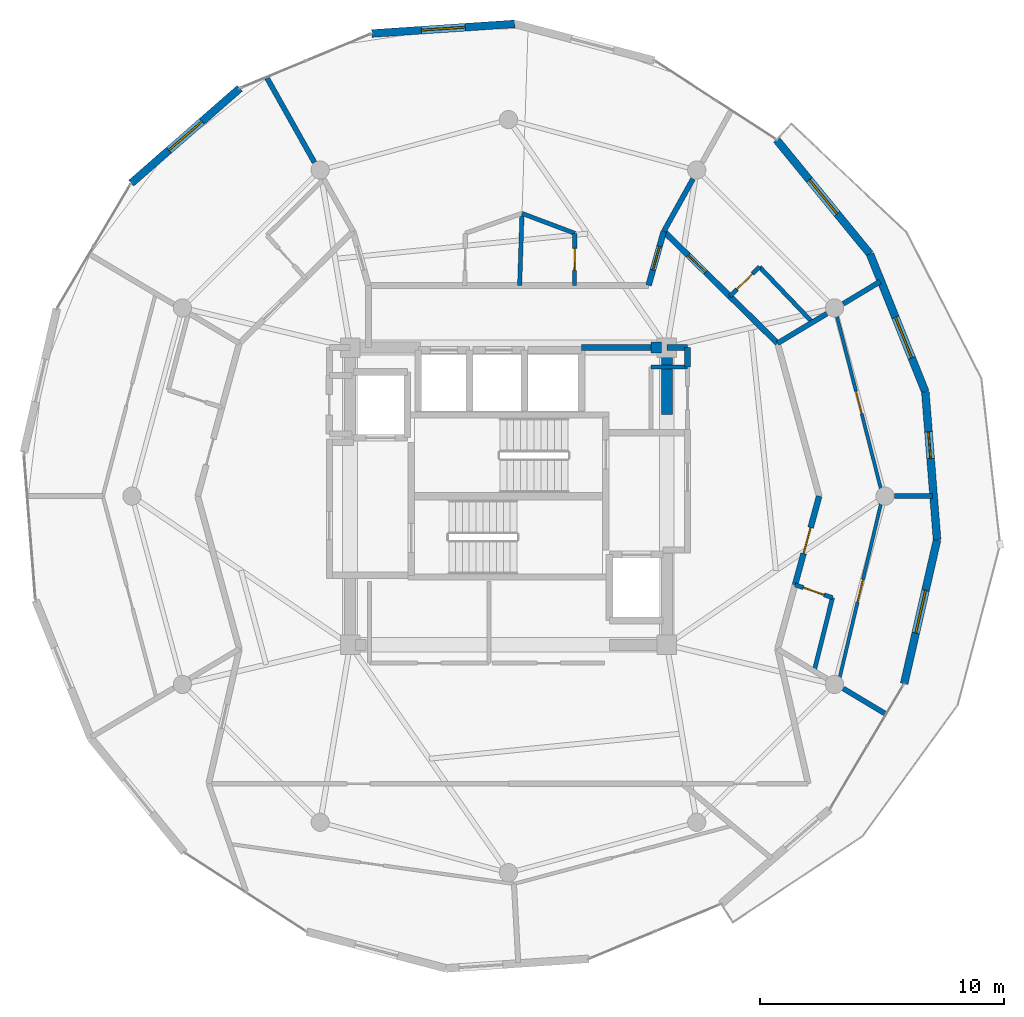
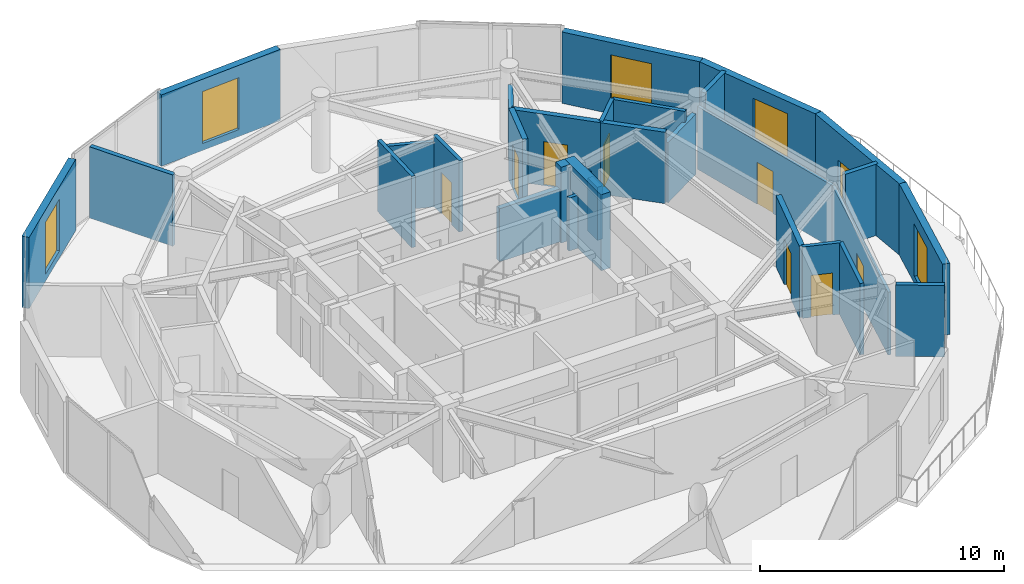
# One storey, part 19 of 22: 31 walls, 9 doors, 5 windows, 14 openings.
"""IFC4 building model written with IfcOpenShell, lengths in metres."""

from ifc_helpers import new_model, si_unit, direction, frame, frame_2d, origin, place, context, subcontext, project, spatial, rectangle, extrude, material, layer, layer_set, type_object, element, fill, save


model = new_model("IFC4")

# Units and contexts
model_context = context("Model", 3, precision=1e-05, world=origin(), true_north=direction((0.0, 1.0)))
body_context = subcontext(model_context, "Body", "Model", "MODEL_VIEW")
ifc_project = project(units=[si_unit("LENGTHUNIT", "METRE"), si_unit("AREAUNIT", "SQUARE_METRE"), si_unit("VOLUMEUNIT", "CUBIC_METRE"), si_unit("PLANEANGLEUNIT", "RADIAN"), si_unit("MASSUNIT", "GRAM", prefix="KILO")], contexts=[model_context])

# Site, building, storey
site_placement = place(None, origin())
site = spatial("IfcSite", under=ifc_project, at=site_placement, CompositionType="ELEMENT")
building_placement = place(site_placement, origin())
building = spatial("IfcBuilding", under=site, at=building_placement, Name="Solvirekh Grand Hotel", CompositionType="ELEMENT")
storey_placement = place(building_placement, frame((0.0, 0.0, 239.199951171875)))
storey = spatial("IfcBuildingStorey", under=building, at=storey_placement, Name="L62", CompositionType="ELEMENT", Elevation=239.199951171875)

# Walls
ifc_material_1 = material(Name="Concrete C50/60", Category="concrete")
ifc_layer_1 = layer(ifc_material_1, 0.449951171875)
ifc_layer_set_1 = layer_set([ifc_layer_1], Name="Concrete C50/60")
wall_type_1 = type_object("IfcWallType", Name="CoreWall_RC450", PredefinedType="SHEAR", material=ifc_layer_set_1)
wall_1_placement = place(storey_placement, frame((5.85009765625, 6.10009765625, 0.0), z_axis=(0.0, 0.0, 1.0), x_axis=(1.0, 0.0, 0.0)))
element("IfcWall", 1, at=wall_1_placement, inside=storey, type_object=wall_type_1, Name="L62 core corner shear wall NE-N", PredefinedType="SHEAR", context=body_context, shape_type="SweptSolid", body=[
    extrude(rectangle(XDim=0.4248046875, YDim=0.449951171875, at=frame_2d((0.21240234375, 0.0))), origin(), (0.0, 0.0, 1.0), 3.800048828125),
])
wall_2_placement = place(storey_placement, frame((6.5, 3.35009765625, 0.0), z_axis=(0.0, 0.0, 1.0), x_axis=(0.0, 1.0, 0.0)))
element("IfcWall", 2, at=wall_2_placement, inside=storey, type_object=wall_type_1, Name="L62 core corner shear wall EN-E", PredefinedType="SHEAR", context=body_context, shape_type="SweptSolid", body=[
    extrude(rectangle(XDim=2.974853515625, YDim=0.449951171875, at=frame_2d((1.4873046875, 0.0))), origin(), (0.0, 0.0, 1.0), 3.800048828125),
])

# Wall, opening, window
ifc_material_2 = material(Name="Precast concrete C45/55", Category="concrete")
ifc_layer_2 = layer(ifc_material_2, 0.320068359375)
ifc_layer_set_2 = layer_set([ifc_layer_2], Name="Precast concrete C45/55")
wall_type_2 = type_object("IfcWallType", Name="ExtLobbyWall_RC320", PredefinedType="SOLIDWALL", material=ifc_layer_set_2)
wall_3_placement = place(storey_placement, frame((17.5869140625, -1.794921875, 0.0), z_axis=(0.0, 0.0, 1.0), x_axis=(-0.223174159959, -0.974778587335, 0.0)))
wall_3 = element("IfcWall", 3, at=wall_3_placement, inside=storey, type_object=wall_type_2, Name="L62 exterior structural wall chord 4", PredefinedType="SOLIDWALL", context=body_context, shape_type="SweptSolid", body=[
    extrude(rectangle(XDim=6.052734375, YDim=0.320068359375, at=frame_2d((3.0263671875, 0.0))), origin(), (0.0, 0.0, 1.0), 3.570068359375),
])
opening_1_placement = place(wall_3_placement, frame((2.1259765625, 0.0, 0.35009765625)))
opening_1 = element("IfcOpeningElement", 4, at=opening_1_placement, cuts=wall_3, Name="Opening W02", PredefinedType="OPENING", context=body_context, shape_type="SweptSolid", body=[
    extrude(rectangle(XDim=1.800048828125, YDim=2.60009765625, at=frame_2d((0.89990234375, 1.300048828125))), frame((0.0, 0.169921875, 0.0), z_axis=(0.0, -1.0, 0.0), x_axis=(1.0, 0.0, 0.0)), (0.0, 0.0, 1.0), 0.340087890625),
])
ifc_material_3 = material(Name="Low-E Tinted Bronze Laminated Glass", Category="aluminium")
window_type = type_object("IfcWindowType", Name="Win_LobbyExt_1800X2600", PartitioningType="SINGLE_PANEL", PredefinedType="WINDOW", material=ifc_material_3)
window_1_placement = place(opening_1_placement, origin())
window_1 = element("IfcWindow", 5, at=window_1_placement, inside=storey, type_object=window_type, Name="L62 panoramic bronze-framed window 4", OverallHeight=2.60009765625, OverallWidth=1.800048828125, PartitioningType="SINGLE_PANEL", PredefinedType="WINDOW", context=body_context, shape_type="SweptSolid", body=[
    extrude(rectangle(XDim=1.800048828125, YDim=2.60009765625, at=frame_2d((0.89990234375, 1.300048828125))), frame((0.0, 0.030029296875, 0.0), z_axis=(0.0, -1.0, 0.0), x_axis=(1.0, 0.0, 0.0)), (0.0, 0.0, 1.0), 0.06005859375),
])
fill(opening_1, window_1)

# Wall, opening, door
wall_4_placement = place(storey_placement, frame((17.10498046875, 4.281982421875, 0.0), z_axis=(0.0, 0.0, 1.0), x_axis=(0.079057550351, -0.996870053584, 0.0)))
wall_4 = element("IfcWall", 6, at=wall_4_placement, inside=storey, type_object=wall_type_2, Name="L62 exterior structural wall chord 5", PredefinedType="SOLIDWALL", context=body_context, shape_type="SweptSolid", body=[
    extrude(rectangle(XDim=6.095947265625, YDim=0.320068359375, at=frame_2d((3.0478515625, 0.0))), origin(), (0.0, 0.0, 1.0), 3.570068359375),
])
opening_2_placement = place(wall_4_placement, frame((1.64599609375, 0.0, 0.0)))
opening_2 = element("IfcOpeningElement", 7, at=opening_2_placement, cuts=wall_4, Name="Opening D03", PredefinedType="OPENING", context=body_context, shape_type="SweptSolid", body=[
    extrude(rectangle(XDim=1.10009765625, YDim=2.199951171875, at=frame_2d((0.550048828125, 1.10009765625))), frame((0.0, 0.169921875, 0.0), z_axis=(0.0, -1.0, 0.0), x_axis=(1.0, 0.0, 0.0)), (0.0, 0.0, 1.0), 0.340087890625),
])
ifc_material_4 = material(Name="Anodized Bronze Aluminium 6063-T6", Category="aluminium")
door_type_1 = type_object("IfcDoorType", Name="Door_ExtBalcony_1100X2200", OperationType="NOTDEFINED", PredefinedType="DOOR", material=ifc_material_4)
door_1_placement = place(opening_2_placement, origin())
door_1 = element("IfcDoor", 8, at=door_1_placement, inside=storey, type_object=door_type_1, Name="L62 Crescent balcony glazed door (5)", OperationType="SINGLE_SWING_LEFT", OverallHeight=2.199951171875, OverallWidth=1.10009765625, PredefinedType="DOOR", context=body_context, shape_type="SweptSolid", body=[
    extrude(rectangle(XDim=1.10009765625, YDim=2.199951171875, at=frame_2d((0.550048828125, 1.10009765625))), frame((0.0, 0.02490234375, 0.0), z_axis=(0.0, -1.0, 0.0), x_axis=(1.0, 0.0, 0.0)), (0.0, 0.0, 1.0), 0.050048828125),
])
fill(opening_2, door_1)

# Wall, opening, window
wall_5_placement = place(storey_placement, frame((14.8349609375, 9.93896484375, 0.0), z_axis=(0.0, 0.0, 1.0), x_axis=(0.372412492589, -0.928067311871, 0.0)))
wall_5 = element("IfcWall", 9, at=wall_5_placement, inside=storey, type_object=wall_type_2, Name="L62 exterior structural wall chord 6", PredefinedType="SOLIDWALL", context=body_context, shape_type="SweptSolid", body=[
    extrude(rectangle(XDim=6.095458984375, YDim=0.320068359375, at=frame_2d((3.0478515625, 0.0))), origin(), (0.0, 0.0, 1.0), 3.570068359375),
])
opening_3_placement = place(wall_5_placement, frame((2.802001953125, 0.0, 0.35009765625)))
opening_3 = element("IfcOpeningElement", 10, at=opening_3_placement, cuts=wall_5, Name="Opening W02", PredefinedType="OPENING", context=body_context, shape_type="SweptSolid", body=[
    extrude(rectangle(XDim=1.800048828125, YDim=2.60009765625, at=frame_2d((0.89990234375, 1.300048828125))), frame((0.0, 0.169921875, 0.0), z_axis=(0.0, -1.0, 0.0), x_axis=(1.0, 0.0, 0.0)), (0.0, 0.0, 1.0), 0.340087890625),
])
window_2_placement = place(opening_3_placement, origin())
window_2 = element("IfcWindow", 11, at=window_2_placement, inside=storey, type_object=window_type, Name="L62 panoramic bronze-framed window 6", OverallHeight=2.60009765625, OverallWidth=1.800048828125, PartitioningType="SINGLE_PANEL", PredefinedType="WINDOW", context=body_context, shape_type="SweptSolid", body=[
    extrude(rectangle(XDim=1.800048828125, YDim=2.60009765625, at=frame_2d((0.89990234375, 1.300048828125))), frame((0.0, 0.030029296875, 0.0), z_axis=(0.0, -1.0, 0.0), x_axis=(1.0, 0.0, 0.0)), (0.0, 0.0, 1.0), 0.06005859375),
])
fill(opening_3, window_2)

wall_6_placement = place(storey_placement, frame((11.0009765625, 14.623046875, 0.0), z_axis=(0.0, 0.0, 1.0), x_axis=(0.633391522875, -0.773831492478, 0.0)))
wall_6 = element("IfcWall", 12, at=wall_6_placement, inside=storey, type_object=wall_type_2, Name="L62 exterior structural wall chord 7", PredefinedType="SOLIDWALL", context=body_context, shape_type="SweptSolid", body=[
    extrude(rectangle(XDim=6.05322265625, YDim=0.320068359375, at=frame_2d((3.026611328125, 0.0))), origin(), (0.0, 0.0, 1.0), 3.570068359375),
])
opening_4_placement = place(wall_6_placement, frame((2.126953125, 0.0, 0.35009765625)))
opening_4 = element("IfcOpeningElement", 13, at=opening_4_placement, cuts=wall_6, Name="Opening W02", PredefinedType="OPENING", context=body_context, shape_type="SweptSolid", body=[
    extrude(rectangle(XDim=1.800048828125, YDim=2.60009765625, at=frame_2d((0.89990234375, 1.300048828125))), frame((0.0, 0.169921875, 0.0), z_axis=(0.0, -1.0, 0.0), x_axis=(1.0, 0.0, 0.0)), (0.0, 0.0, 1.0), 0.340087890625),
])
window_3_placement = place(opening_4_placement, origin())
window_3 = element("IfcWindow", 14, at=window_3_placement, inside=storey, type_object=window_type, Name="L62 panoramic bronze-framed window 7", OverallHeight=2.60009765625, OverallWidth=1.800048828125, PartitioningType="SINGLE_PANEL", PredefinedType="WINDOW", context=body_context, shape_type="SweptSolid", body=[
    extrude(rectangle(XDim=1.800048828125, YDim=2.60009765625, at=frame_2d((0.89990234375, 1.300048828125))), frame((0.0, 0.030029296875, 0.0), z_axis=(0.0, -1.0, 0.0), x_axis=(1.0, 0.0, 0.0)), (0.0, 0.0, 1.0), 0.06005859375),
])
fill(opening_4, window_3)

wall_7_placement = place(storey_placement, frame((-5.60302734375, 18.985107421875, 0.0), z_axis=(0.0, 0.0, 1.0), x_axis=(0.997748955427, 0.067059838539, 0.0)))
wall_7 = element("IfcWall", 15, at=wall_7_placement, inside=storey, type_object=wall_type_2, Name="L62 exterior structural wall chord 10", PredefinedType="SOLIDWALL", context=body_context, shape_type="SweptSolid", body=[
    extrude(rectangle(XDim=5.872314453125, YDim=0.320068359375, at=frame_2d((2.93603515625, 0.0))), origin(), (0.0, 0.0, 1.0), 3.570068359375),
])
opening_5_placement = place(wall_7_placement, frame((2.035888671875, 0.0, 0.35009765625)))
opening_5 = element("IfcOpeningElement", 16, at=opening_5_placement, cuts=wall_7, Name="Opening W02", PredefinedType="OPENING", context=body_context, shape_type="SweptSolid", body=[
    extrude(rectangle(XDim=1.800048828125, YDim=2.60009765625, at=frame_2d((0.89990234375, 1.300048828125))), frame((0.0, 0.169921875, 0.0), z_axis=(0.0, -1.0, 0.0), x_axis=(1.0, 0.0, 0.0)), (0.0, 0.0, 1.0), 0.340087890625),
])
window_4_placement = place(opening_5_placement, origin())
window_4 = element("IfcWindow", 17, at=window_4_placement, inside=storey, type_object=window_type, Name="L62 panoramic bronze-framed window 10", OverallHeight=2.60009765625, OverallWidth=1.800048828125, PartitioningType="SINGLE_PANEL", PredefinedType="WINDOW", context=body_context, shape_type="SweptSolid", body=[
    extrude(rectangle(XDim=1.800048828125, YDim=2.60009765625, at=frame_2d((0.89990234375, 1.300048828125))), frame((0.0, 0.030029296875, 0.0), z_axis=(0.0, -1.0, 0.0), x_axis=(1.0, 0.0, 0.0)), (0.0, 0.0, 1.0), 0.06005859375),
])
fill(opening_5, window_4)

wall_8_placement = place(storey_placement, frame((-15.48193359375, 12.842041015625, 0.0), z_axis=(0.0, 0.0, 1.0), x_axis=(0.753261443664, 0.65772121563, 0.0)))
wall_8 = element("IfcWall", 18, at=wall_8_placement, inside=storey, type_object=wall_type_2, Name="L62 exterior structural wall chord 12", PredefinedType="SOLIDWALL", context=body_context, shape_type="SweptSolid", body=[
    extrude(rectangle(XDim=5.915771484375, YDim=0.320068359375, at=frame_2d((2.9580078125, 0.0))), origin(), (0.0, 0.0, 1.0), 3.570068359375),
])
opening_6_placement = place(wall_8_placement, frame((2.05810546875, 0.0, 0.35009765625)))
opening_6 = element("IfcOpeningElement", 19, at=opening_6_placement, cuts=wall_8, Name="Opening W02", PredefinedType="OPENING", context=body_context, shape_type="SweptSolid", body=[
    extrude(rectangle(XDim=1.800048828125, YDim=2.60009765625, at=frame_2d((0.89990234375, 1.300048828125))), frame((0.0, 0.169921875, 0.0), z_axis=(0.0, -1.0, 0.0), x_axis=(1.0, 0.0, 0.0)), (0.0, 0.0, 1.0), 0.340087890625),
])
window_5_placement = place(opening_6_placement, origin())
window_5 = element("IfcWindow", 20, at=window_5_placement, inside=storey, type_object=window_type, Name="L62 panoramic bronze-framed window 12", OverallHeight=2.60009765625, OverallWidth=1.800048828125, PartitioningType="SINGLE_PANEL", PredefinedType="WINDOW", context=body_context, shape_type="SweptSolid", body=[
    extrude(rectangle(XDim=1.800048828125, YDim=2.60009765625, at=frame_2d((0.89990234375, 1.300048828125))), frame((0.0, 0.030029296875, 0.0), z_axis=(0.0, -1.0, 0.0), x_axis=(1.0, 0.0, 0.0)), (0.0, 0.0, 1.0), 0.06005859375),
])
fill(opening_6, window_5)

# Walls
ifc_material_5 = material(Name="Acoustic Gypsum Partition Assembly")
ifc_layer_3 = layer(ifc_material_5, 0.1650390625)
ifc_layer_set_3 = layer_set([ifc_layer_3], Name="Acoustic Gypsum Partition Assembly")
wall_type_3 = type_object("IfcWallType", Name="Part_BOH_165", PredefinedType="PARTITIONING", material=ifc_layer_set_3)
wall_9_placement = place(storey_placement, frame((7.35009765625, 5.300048828125, 0.0), z_axis=(0.0, 0.0, 1.0), x_axis=(-1.0, 0.0, 0.0)))
element("IfcWall", 21, at=wall_9_placement, inside=storey, type_object=wall_type_3, Name="L62 L62 Core Housekeeping & Linen Room wall 3", PredefinedType="PARTITIONING", context=body_context, shape_type="SweptSolid", body=[
    extrude(rectangle(XDim=1.5, YDim=0.1650390625, at=frame_2d((0.75, 0.0))), origin(), (0.0, 0.0, 1.0), 2.655029296875),
])
ifc_layer_4 = layer(ifc_material_5, 0.239990234375)
ifc_layer_set_4 = layer_set([ifc_layer_4], Name="Acoustic Gypsum Partition Assembly")
wall_type_4 = type_object("IfcWallType", Name="Part_Corridor_240", PredefinedType="PARTITIONING", material=ifc_layer_set_4)
wall_10_placement = place(storey_placement, frame((3.0, 6.10009765625, 0.0), z_axis=(0.0, 0.0, 1.0), x_axis=(1.0, 0.0, 0.0)))
element("IfcWall", 22, at=wall_10_placement, inside=storey, type_object=wall_type_4, Name="L62 north core shaft infill wall", PredefinedType="PARTITIONING", context=body_context, shape_type="SweptSolid", body=[
    extrude(rectangle(XDim=2.85009765625, YDim=0.239990234375, at=frame_2d((1.425048828125, 0.0))), origin(), (0.0, 0.0, 1.0), 2.655029296875),
])
wall_11_placement = place(storey_placement, frame((7.35009765625, 5.300048828125, 0.0), z_axis=(0.0, 0.0, 1.0), x_axis=(0.0, 1.0, 0.0)))
element("IfcWall", 23, at=wall_11_placement, inside=storey, type_object=wall_type_4, Name="L62 NE core cheek closure wall", PredefinedType="PARTITIONING", context=body_context, shape_type="SweptSolid", body=[
    extrude(rectangle(XDim=0.800048828125, YDim=0.239990234375, at=frame_2d((0.39990234375, 0.0))), origin(), (0.0, 0.0, 1.0), 2.655029296875),
])
wall_12_placement = place(storey_placement, frame((6.5, 6.10009765625, 0.0), z_axis=(0.0, 0.0, 1.0), x_axis=(1.0, 0.0, 0.0)))
element("IfcWall", 24, at=wall_12_placement, inside=storey, type_object=wall_type_4, Name="L62 NE core corner tie wall", PredefinedType="PARTITIONING", context=body_context, shape_type="SweptSolid", body=[
    extrude(rectangle(XDim=0.85009765625, YDim=0.239990234375, at=frame_2d((0.425048828125, 0.0))), origin(), (0.0, 0.0, 1.0), 3.010986328125),
])

# Wall, opening, door
wall_13_placement = place(storey_placement, frame((5.75, 8.64990234375, 0.0), z_axis=(0.0, 0.0, 1.0), x_axis=(0.271110513922, 0.962548226969, 0.0)))
wall_13 = element("IfcWall", 25, at=wall_13_placement, inside=storey, type_object=wall_type_4, Name="L62 Deluxe Guestroom 6401 entrance wall", PredefinedType="PARTITIONING", context=body_context, shape_type="SweptSolid", body=[
    extrude(rectangle(XDim=2.305419921875, YDim=0.239990234375, at=frame_2d((1.15283203125, 0.0))), origin(), (0.0, 0.0, 1.0), 3.570068359375),
])
opening_7_placement = place(wall_13_placement, frame((0.653076171875, 0.0, 0.0)))
opening_7 = element("IfcOpeningElement", 26, at=opening_7_placement, cuts=wall_13, Name="Opening D07", PredefinedType="OPENING", context=body_context, shape_type="SweptSolid", body=[
    extrude(rectangle(XDim=1.0, YDim=2.199951171875, at=frame_2d((0.5, 1.10009765625))), frame((0.0, 0.1298828125, 0.0), z_axis=(0.0, -1.0, 0.0), x_axis=(1.0, 0.0, 0.0)), (0.0, 0.0, 1.0), 0.260009765625),
])
ifc_material_6 = material(Name="Fire-Rated Steel Door Assembly", Category="steel")
door_type_2 = type_object("IfcDoorType", Name="Door_GuestEntry_1000X2200", OperationType="NOTDEFINED", PredefinedType="DOOR", material=ifc_material_6)
door_2_placement = place(opening_7_placement, origin())
door_2 = element("IfcDoor", 27, at=door_2_placement, inside=storey, type_object=door_type_2, Name="L62 Deluxe Guestroom 6401 entrance door", OperationType="SINGLE_SWING_LEFT", OverallHeight=2.199951171875, OverallWidth=1.0, PredefinedType="DOOR", context=body_context, shape_type="SweptSolid", body=[
    extrude(rectangle(XDim=1.0, YDim=2.199951171875, at=frame_2d((0.5, 1.10009765625))), frame((0.0, 0.02490234375, 0.0), z_axis=(0.0, -1.0, 0.0), x_axis=(1.0, 0.0, 0.0)), (0.0, 0.0, 1.0), 0.050048828125),
])
fill(opening_7, door_2)

wall_14_placement = place(storey_placement, frame((11.759033203125, -3.639892578125, 0.0), z_axis=(0.0, 0.0, 1.0), x_axis=(0.2626902414, 0.964880219029, 0.0)))
wall_14 = element("IfcWall", 28, at=wall_14_placement, inside=storey, type_object=wall_type_4, Name="L62 Executive Suite 6405 Living Room entrance wall", PredefinedType="PARTITIONING", context=body_context, shape_type="SweptSolid", body=[
    extrude(rectangle(XDim=3.7724609375, YDim=0.239990234375, at=frame_2d((1.88623046875, 0.0))), origin(), (0.0, 0.0, 1.0), 3.570068359375),
])
opening_8_placement = place(wall_14_placement, frame((1.3359375, 0.0, 0.0)))
opening_8 = element("IfcOpeningElement", 29, at=opening_8_placement, cuts=wall_14, Name="Opening D08", PredefinedType="OPENING", context=body_context, shape_type="SweptSolid", body=[
    extrude(rectangle(XDim=1.10009765625, YDim=2.300048828125, at=frame_2d((0.550048828125, 1.14990234375))), frame((0.0, 0.1298828125, 0.0), z_axis=(0.0, -1.0, 0.0), x_axis=(1.0, 0.0, 0.0)), (0.0, 0.0, 1.0), 0.260009765625),
])
door_type_3 = type_object("IfcDoorType", Name="Door_SuiteEntry_1100X2300", OperationType="NOTDEFINED", PredefinedType="DOOR", material=ifc_material_6)
door_3_placement = place(opening_8_placement, origin())
door_3 = element("IfcDoor", 30, at=door_3_placement, inside=storey, type_object=door_type_3, Name="L62 Executive Suite 6405 Living Room entrance door", OperationType="SINGLE_SWING_LEFT", OverallHeight=2.300048828125, OverallWidth=1.10009765625, PredefinedType="DOOR", context=body_context, shape_type="SweptSolid", body=[
    extrude(rectangle(XDim=1.10009765625, YDim=2.300048828125, at=frame_2d((0.550048828125, 1.14990234375))), frame((0.0, 0.02490234375, 0.0), z_axis=(0.0, -1.0, 0.0), x_axis=(1.0, 0.0, 0.0)), (0.0, 0.0, 1.0), 0.050048828125),
])
fill(opening_8, door_3)

# Wall
wall_15_placement = place(storey_placement, frame((11.0419921875, 6.27490234375, 0.0), z_axis=(0.0, 0.0, 1.0), x_axis=(-0.712677423321, 0.701491903224, 0.0)))
element("IfcWall", 31, at=wall_15_placement, inside=storey, type_object=wall_type_4, Name="L62 En-suite Bathroom 6406 corridor backing wall", PredefinedType="PARTITIONING", context=body_context, shape_type="SweptSolid", body=[
    extrude(rectangle(XDim=2.750244140625, YDim=0.239990234375, at=frame_2d((1.375, 0.0))), origin(), (0.0, 0.0, 1.0), 3.570068359375),
])

# Wall, opening, door
wall_16_placement = place(storey_placement, frame((9.08203125, 8.2041015625, 0.0), z_axis=(0.0, 0.0, 1.0), x_axis=(-0.712644426178, 0.70152542494, 0.0)))
wall_16 = element("IfcWall", 32, at=wall_16_placement, inside=storey, type_object=wall_type_4, Name="L62 Deluxe Guestroom 6406 entrance wall", PredefinedType="PARTITIONING", context=body_context, shape_type="SweptSolid", body=[
    extrude(rectangle(XDim=3.798583984375, YDim=0.239990234375, at=frame_2d((1.8994140625, 0.0))), origin(), (0.0, 0.0, 1.0), 3.570068359375),
])
opening_9_placement = place(wall_16_placement, frame((1.39892578125, 0.0, 0.0)))
opening_9 = element("IfcOpeningElement", 33, at=opening_9_placement, cuts=wall_16, Name="Opening D07", PredefinedType="OPENING", context=body_context, shape_type="SweptSolid", body=[
    extrude(rectangle(XDim=1.0, YDim=2.199951171875, at=frame_2d((0.5, 1.10009765625))), frame((0.0, 0.1298828125, 0.0), z_axis=(0.0, -1.0, 0.0), x_axis=(1.0, 0.0, 0.0)), (0.0, 0.0, 1.0), 0.260009765625),
])
door_4_placement = place(opening_9_placement, origin())
door_4 = element("IfcDoor", 34, at=door_4_placement, inside=storey, type_object=door_type_2, Name="L62 Deluxe Guestroom 6406 entrance door", OperationType="SINGLE_SWING_LEFT", OverallHeight=2.199951171875, OverallWidth=1.0, PredefinedType="DOOR", context=body_context, shape_type="SweptSolid", body=[
    extrude(rectangle(XDim=1.0, YDim=2.199951171875, at=frame_2d((0.5, 1.10009765625))), frame((0.0, 0.02490234375, 0.0), z_axis=(0.0, -1.0, 0.0), x_axis=(1.0, 0.0, 0.0)), (0.0, 0.0, 1.0), 0.050048828125),
])
fill(opening_9, door_4)

ifc_layer_5 = layer(ifc_material_5, 0.135009765625)
ifc_layer_set_5 = layer_set([ifc_layer_5], Name="Acoustic Gypsum Partition Assembly")
wall_type_5 = type_object("IfcWallType", Name="Part_RoomInt_135", PredefinedType="PARTITIONING", material=ifc_layer_set_5)
wall_17_placement = place(storey_placement, frame((13.51611328125, -7.759033203125, 0.0), z_axis=(0.0, 0.0, 1.0), x_axis=(0.230840940032, 0.972991500685, 0.0)))
wall_17 = element("IfcWall", 35, at=wall_17_placement, inside=storey, type_object=wall_type_5, Name="L62 Executive Suite 6405 Living Room bedroom screen wall", PredefinedType="PARTITIONING", context=body_context, shape_type="SweptSolid", body=[
    extrude(rectangle(XDim=7.974365234375, YDim=0.135009765625, at=frame_2d((3.9873046875, 0.0))), origin(), (0.0, 0.0, 1.0), 3.13916015625),
])
opening_10_placement = place(wall_17_placement, frame((3.511962890625, 0.0, 0.0)))
opening_10 = element("IfcOpeningElement", 36, at=opening_10_placement, cuts=wall_17, Name="Opening D10", PredefinedType="OPENING", context=body_context, shape_type="SweptSolid", body=[
    extrude(rectangle(XDim=0.949951171875, YDim=2.10009765625, at=frame_2d((0.47509765625, 1.050048828125))), frame((0.0, 0.07763671875, 0.0), z_axis=(0.0, -1.0, 0.0), x_axis=(1.0, 0.0, 0.0)), (0.0, 0.0, 1.0), 0.155029296875),
])
door_type_4 = type_object("IfcDoorType", Name="Door_RoomInt_950X2100", OperationType="NOTDEFINED", PredefinedType="DOOR", material=ifc_material_4)
door_5_placement = place(opening_10_placement, origin())
door_5 = element("IfcDoor", 37, at=door_5_placement, inside=storey, type_object=door_type_4, Name="L62 Executive Suite 6405 Living Room master bedroom door", OperationType="SINGLE_SWING_RIGHT", OverallHeight=2.10009765625, OverallWidth=0.949951171875, PredefinedType="DOOR", context=body_context, shape_type="SweptSolid", body=[
    extrude(rectangle(XDim=0.949951171875, YDim=2.10009765625, at=frame_2d((0.47509765625, 1.050048828125))), frame((0.0, 0.02490234375, 0.0), z_axis=(0.0, -1.0, 0.0), x_axis=(1.0, 0.0, 0.0)), (0.0, 0.0, 1.0), 0.050048828125),
])
fill(opening_10, door_5)

wall_18_placement = place(storey_placement, frame((15.35693359375, 0.0, 0.0), z_axis=(0.0, 0.0, 1.0), x_axis=(-0.246948201866, 0.969028681513, 0.0)))
wall_18 = element("IfcWall", 38, at=wall_18_placement, inside=storey, type_object=wall_type_5, Name="L62 Executive Suite 6405 Panorama Suite Study bedroom screen wall", PredefinedType="PARTITIONING", context=body_context, shape_type="SweptSolid", body=[
    extrude(rectangle(XDim=7.936767578125, YDim=0.135009765625, at=frame_2d((3.96826171875, 0.0))), origin(), (0.0, 0.0, 1.0), 3.13916015625),
])
opening_11_placement = place(wall_18_placement, frame((3.492919921875, 0.0, 0.0)))
opening_11 = element("IfcOpeningElement", 39, at=opening_11_placement, cuts=wall_18, Name="Opening D10", PredefinedType="OPENING", context=body_context, shape_type="SweptSolid", body=[
    extrude(rectangle(XDim=0.949951171875, YDim=2.10009765625, at=frame_2d((0.47509765625, 1.050048828125))), frame((0.0, 0.07763671875, 0.0), z_axis=(0.0, -1.0, 0.0), x_axis=(1.0, 0.0, 0.0)), (0.0, 0.0, 1.0), 0.155029296875),
])
door_6_placement = place(opening_11_placement, origin())
door_6 = element("IfcDoor", 40, at=door_6_placement, inside=storey, type_object=door_type_4, Name="L62 Executive Suite 6405 Panorama Suite Study master bedroom door", OperationType="SINGLE_SWING_LEFT", OverallHeight=2.10009765625, OverallWidth=0.949951171875, PredefinedType="DOOR", context=body_context, shape_type="SweptSolid", body=[
    extrude(rectangle(XDim=0.949951171875, YDim=2.10009765625, at=frame_2d((0.47509765625, 1.050048828125))), frame((0.0, 0.02490234375, 0.0), z_axis=(0.0, -1.0, 0.0), x_axis=(1.0, 0.0, 0.0)), (0.0, 0.0, 1.0), 0.050048828125),
])
fill(opening_11, door_6)

# Walls
ifc_layer_6 = layer(ifc_material_5, 0.2099609375)
ifc_layer_set_6 = layer_set([ifc_layer_6], Name="Acoustic Gypsum Partition Assembly")
wall_type_6 = type_object("IfcWallType", Name="Part_SuiteDemise_210", PredefinedType="PARTITIONING", material=ifc_layer_set_6)
wall_19_placement = place(storey_placement, frame((11.0419921875, 6.27490234375, 0.0), z_axis=(0.0, 0.0, 1.0), x_axis=(0.857026686246, 0.515272024335, 0.0)))
element("IfcWall", 41, at=wall_19_placement, inside=storey, type_object=wall_type_6, Name="L62 suite radial wall 2 (A)", PredefinedType="PARTITIONING", context=body_context, shape_type="SweptSolid", body=[
    extrude(rectangle(XDim=2.358154296875, YDim=0.2099609375, at=frame_2d((1.17919921875, 0.0))), origin(), (0.0, 0.0, 1.0), 3.010986328125),
])
wall_20_placement = place(storey_placement, frame((13.737060546875, 7.89501953125, 0.0), z_axis=(0.0, 0.0, 1.0), x_axis=(0.857150569961, 0.515065918514, 0.0)))
element("IfcWall", 42, at=wall_20_placement, inside=storey, type_object=wall_type_6, Name="L62 suite radial wall 2 (B)", PredefinedType="PARTITIONING", context=body_context, shape_type="SweptSolid", body=[
    extrude(rectangle(XDim=1.7626953125, YDim=0.2099609375, at=frame_2d((0.88134765625, 0.0))), origin(), (0.0, 0.0, 1.0), 3.570068359375),
])
wall_21_placement = place(storey_placement, frame((6.375, 10.868896484375, 0.0), z_axis=(0.0, 0.0, 1.0), x_axis=(0.486620940413, 0.873613221255, 0.0)))
element("IfcWall", 43, at=wall_21_placement, inside=storey, type_object=wall_type_6, Name="L62 suite radial wall 3 (A)", PredefinedType="PARTITIONING", context=body_context, shape_type="SweptSolid", body=[
    extrude(rectangle(XDim=2.457763671875, YDim=0.2099609375, at=frame_2d((1.22900390625, 0.0))), origin(), (0.0, 0.0, 1.0), 3.010986328125),
])
wall_22_placement = place(storey_placement, frame((-7.9619140625, 13.696044921875, 0.0), z_axis=(0.0, 0.0, 1.0), x_axis=(-0.489665242016, 0.871910517634, 0.0)))
element("IfcWall", 44, at=wall_22_placement, inside=storey, type_object=wall_type_6, Name="L62 suite radial wall 5 (B)", PredefinedType="PARTITIONING", context=body_context, shape_type="SweptSolid", body=[
    extrude(rectangle(XDim=3.96826171875, YDim=0.2099609375, at=frame_2d((1.984130859375, 0.0))), origin(), (0.0, 0.0, 1.0), 3.570068359375),
])
wall_23_placement = place(storey_placement, frame((13.738037109375, -7.89208984375, 0.0), z_axis=(0.0, 0.0, 1.0), x_axis=(0.857407053578, -0.514638848587, 0.0)))
element("IfcWall", 45, at=wall_23_placement, inside=storey, type_object=wall_type_6, Name="L62 suite radial wall 12 (B)", PredefinedType="PARTITIONING", context=body_context, shape_type="SweptSolid", body=[
    extrude(rectangle(XDim=2.007080078125, YDim=0.2099609375, at=frame_2d((1.00341796875, 0.0))), origin(), (0.0, 0.0, 1.0), 3.570068359375),
])
wall_24_placement = place(storey_placement, frame((15.844970703125, 0.0, 0.0), z_axis=(0.0, 0.0, 1.0), x_axis=(1.0, 0.0, 0.0)))
element("IfcWall", 46, at=wall_24_placement, inside=storey, type_object=wall_type_6, Name="L62 Executive Suite 6405 Living Room dividing partition 1 (A)", PredefinedType="PARTITIONING", context=body_context, shape_type="SweptSolid", body=[
    extrude(rectangle(XDim=1.56005859375, YDim=0.2099609375, at=frame_2d((0.780029296875, 0.0))), origin(), (0.0, 0.0, 1.0), 3.570068359375),
])
ifc_layer_7 = layer(ifc_material_5, 0.175048828125)
ifc_layer_set_7 = layer_set([ifc_layer_7], Name="Acoustic Gypsum Partition Assembly")
wall_type_7 = type_object("IfcWallType", Name="Plumb_Ensuite_175", PredefinedType="PLUMBINGWALL", material=ifc_layer_set_7)
wall_25_placement = place(storey_placement, frame((0.555908203125, 11.60205078125, 0.0), z_axis=(0.0, 0.0, 1.0), x_axis=(0.935773181831, -0.35260254135, 0.0)))
element("IfcWall", 47, at=wall_25_placement, inside=storey, type_object=wall_type_7, Name="L62 En-suite Bathroom 6401 outer plumbing wall", PredefinedType="PLUMBINGWALL", context=body_context, shape_type="SweptSolid", body=[
    extrude(rectangle(XDim=2.314697265625, YDim=0.175048828125, at=frame_2d((1.1572265625, 0.0))), origin(), (0.0, 0.0, 1.0), 3.2529296875),
])
wall_26_placement = place(storey_placement, frame((0.555908203125, 11.60205078125, 0.0), z_axis=(0.0, 0.0, 1.0), x_axis=(-0.032483675207, -0.999472266171, 0.0)))
element("IfcWall", 48, at=wall_26_placement, inside=storey, type_object=wall_type_7, Name="L62 En-suite Bathroom 6401 side plumbing wall", PredefinedType="PLUMBINGWALL", context=body_context, shape_type="SweptSolid", body=[
    extrude(rectangle(XDim=2.95361328125, YDim=0.175048828125, at=frame_2d((1.476806640625, 0.0))), origin(), (0.0, 0.0, 1.0), 3.570068359375),
])

# Wall, opening, door
wall_27_placement = place(storey_placement, frame((2.7099609375, 8.64990234375, 0.0), z_axis=(0.0, 0.0, 1.0), x_axis=(0.005600552237, 0.999984316784, 0.0)))
wall_27 = element("IfcWall", 49, at=wall_27_placement, inside=storey, type_object=wall_type_7, Name="L62 En-suite Bathroom 6401 entry plumbing wall", PredefinedType="PLUMBINGWALL", context=body_context, shape_type="SweptSolid", body=[
    extrude(rectangle(XDim=2.135986328125, YDim=0.175048828125, at=frame_2d((1.06787109375, 0.0))), origin(), (0.0, 0.0, 1.0), 3.570068359375),
])
opening_12_placement = place(wall_27_placement, frame((0.617919921875, 0.0, 0.0)))
opening_12 = element("IfcOpeningElement", 50, at=opening_12_placement, cuts=wall_27, Name="Opening D09", PredefinedType="OPENING", context=body_context, shape_type="SweptSolid", body=[
    extrude(rectangle(XDim=0.89990234375, YDim=2.10009765625, at=frame_2d((0.449951171875, 1.050048828125))), frame((0.0, 0.09765625, 0.0), z_axis=(0.0, -1.0, 0.0), x_axis=(1.0, 0.0, 0.0)), (0.0, 0.0, 1.0), 0.195068359375),
])
door_type_5 = type_object("IfcDoorType", Name="Door_Ensuite_900X2100", OperationType="NOTDEFINED", PredefinedType="DOOR", material=ifc_material_4)
door_7_placement = place(opening_12_placement, origin())
door_7 = element("IfcDoor", 51, at=door_7_placement, inside=storey, type_object=door_type_5, Name="L62 En-suite Bathroom 6401 door", OperationType="SINGLE_SWING_RIGHT", OverallHeight=2.10009765625, OverallWidth=0.89990234375, PredefinedType="DOOR", context=body_context, shape_type="SweptSolid", body=[
    extrude(rectangle(XDim=0.89990234375, YDim=2.10009765625, at=frame_2d((0.449951171875, 1.050048828125))), frame((0.0, 0.02490234375, 0.0), z_axis=(0.0, -1.0, 0.0), x_axis=(1.0, 0.0, 0.0)), (0.0, 0.0, 1.0), 0.050048828125),
])
fill(opening_12, door_7)

# Wall
wall_28_placement = place(storey_placement, frame((12.5439453125, -7.176025390625, 0.0), z_axis=(0.0, 0.0, 1.0), x_axis=(0.241851063072, 0.970313384062, 0.0)))
element("IfcWall", 52, at=wall_28_placement, inside=storey, type_object=wall_type_7, Name="L62 En-suite Bathroom 6405 outer plumbing wall", PredefinedType="PLUMBINGWALL", context=body_context, shape_type="SweptSolid", body=[
    extrude(rectangle(XDim=3.105224609375, YDim=0.175048828125, at=frame_2d((1.552734375, 0.0))), origin(), (0.0, 0.0, 1.0), 3.570068359375),
])

# Wall, opening, door
wall_29_placement = place(storey_placement, frame((11.759033203125, -3.639892578125, 0.0), z_axis=(0.0, 0.0, 1.0), x_axis=(0.946586404748, -0.322450272671, 0.0)))
wall_29 = element("IfcWall", 53, at=wall_29_placement, inside=storey, type_object=wall_type_7, Name="L62 En-suite Bathroom 6405 entry plumbing wall", PredefinedType="PLUMBINGWALL", context=body_context, shape_type="SweptSolid", body=[
    extrude(rectangle(XDim=1.62255859375, YDim=0.175048828125, at=frame_2d((0.811279296875, 0.0))), origin(), (0.0, 0.0, 1.0), 3.570068359375),
])
opening_13_placement = place(wall_29_placement, frame((0.361083984375, 0.0, 0.0)))
opening_13 = element("IfcOpeningElement", 54, at=opening_13_placement, cuts=wall_29, Name="Opening D09", PredefinedType="OPENING", context=body_context, shape_type="SweptSolid", body=[
    extrude(rectangle(XDim=0.89990234375, YDim=2.10009765625, at=frame_2d((0.449951171875, 1.050048828125))), frame((0.0, 0.09765625, 0.0), z_axis=(0.0, -1.0, 0.0), x_axis=(1.0, 0.0, 0.0)), (0.0, 0.0, 1.0), 0.195068359375),
])
door_8_placement = place(opening_13_placement, origin())
door_8 = element("IfcDoor", 55, at=door_8_placement, inside=storey, type_object=door_type_5, Name="L62 En-suite Bathroom 6405 door", OperationType="SINGLE_SWING_RIGHT", OverallHeight=2.10009765625, OverallWidth=0.89990234375, PredefinedType="DOOR", context=body_context, shape_type="SweptSolid", body=[
    extrude(rectangle(XDim=0.89990234375, YDim=2.10009765625, at=frame_2d((0.449951171875, 1.050048828125))), frame((0.0, 0.02490234375, 0.0), z_axis=(0.0, -1.0, 0.0), x_axis=(1.0, 0.0, 0.0)), (0.0, 0.0, 1.0), 0.050048828125),
])
fill(opening_13, door_8)

# Wall
wall_30_placement = place(storey_placement, frame((12.471923828125, 7.135009765625, 0.0), z_axis=(0.0, 0.0, 1.0), x_axis=(-0.690671718567, 0.723168429324, 0.0)))
element("IfcWall", 56, at=wall_30_placement, inside=storey, type_object=wall_type_7, Name="L62 En-suite Bathroom 6406 outer plumbing wall", PredefinedType="PLUMBINGWALL", context=body_context, shape_type="SweptSolid", body=[
    extrude(rectangle(XDim=3.140380859375, YDim=0.175048828125, at=frame_2d((1.5703125, 0.0))), origin(), (0.0, 0.0, 1.0), 3.570068359375),
])

# Wall, opening, door
wall_31_placement = place(storey_placement, frame((9.08203125, 8.2041015625, 0.0), z_axis=(0.0, 0.0, 1.0), x_axis=(0.712642440828, 0.701527441751, 0.0)))
wall_31 = element("IfcWall", 57, at=wall_31_placement, inside=storey, type_object=wall_type_7, Name="L62 En-suite Bathroom 6406 entry plumbing wall", PredefinedType="PLUMBINGWALL", context=body_context, shape_type="SweptSolid", body=[
    extrude(rectangle(XDim=1.71337890625, YDim=0.175048828125, at=frame_2d((0.856689453125, 0.0))), origin(), (0.0, 0.0, 1.0), 3.570068359375),
])
opening_14_placement = place(wall_31_placement, frame((0.406982421875, 0.0, 0.0)))
opening_14 = element("IfcOpeningElement", 58, at=opening_14_placement, cuts=wall_31, Name="Opening D09", PredefinedType="OPENING", context=body_context, shape_type="SweptSolid", body=[
    extrude(rectangle(XDim=0.89990234375, YDim=2.10009765625, at=frame_2d((0.449951171875, 1.050048828125))), frame((0.0, 0.09765625, 0.0), z_axis=(0.0, -1.0, 0.0), x_axis=(1.0, 0.0, 0.0)), (0.0, 0.0, 1.0), 0.195068359375),
])
door_9_placement = place(opening_14_placement, origin())
door_9 = element("IfcDoor", 59, at=door_9_placement, inside=storey, type_object=door_type_5, Name="L62 En-suite Bathroom 6406 door", OperationType="SINGLE_SWING_RIGHT", OverallHeight=2.10009765625, OverallWidth=0.89990234375, PredefinedType="DOOR", context=body_context, shape_type="SweptSolid", body=[
    extrude(rectangle(XDim=0.89990234375, YDim=2.10009765625, at=frame_2d((0.449951171875, 1.050048828125))), frame((0.0, 0.02490234375, 0.0), z_axis=(0.0, -1.0, 0.0), x_axis=(1.0, 0.0, 0.0)), (0.0, 0.0, 1.0), 0.050048828125),
])
fill(opening_14, door_9)

save(model, "model.ifc")
